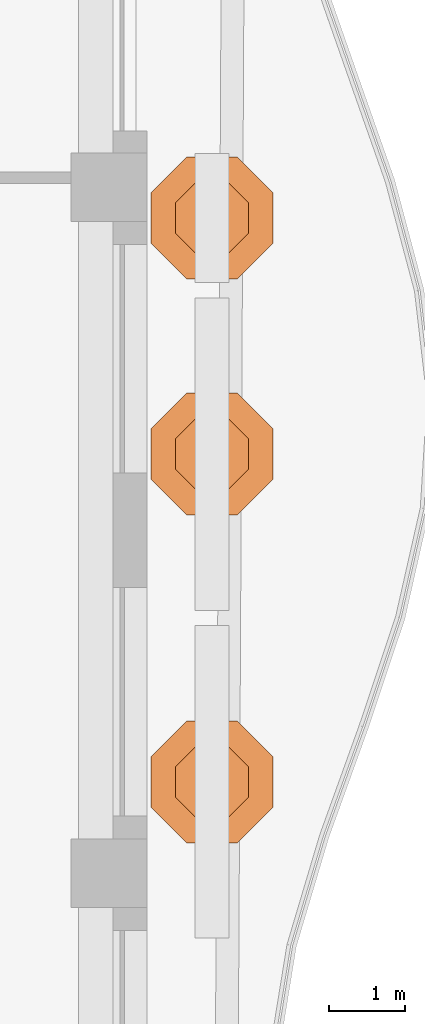
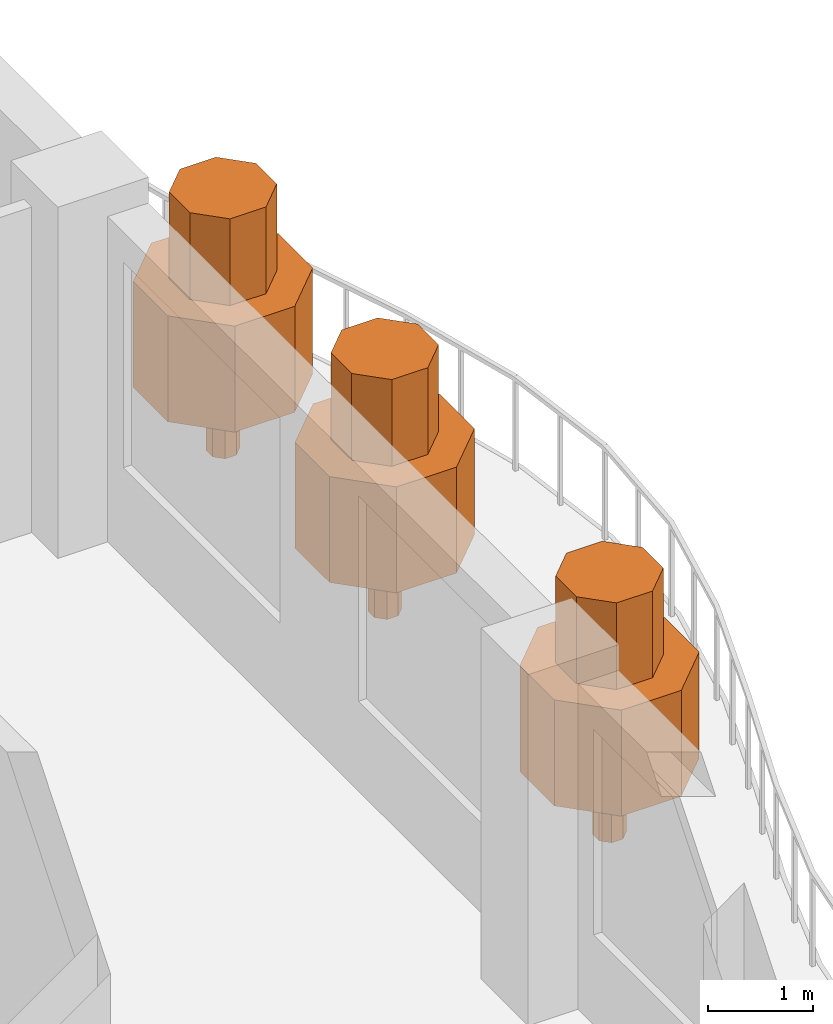
# One storey, part 14 of 14: 3 geographic elements.
"""IFC4 building model written with IfcOpenShell, lengths in metres."""

from ifc_helpers import new_model, si_unit, direction, frame, origin, place, context, subcontext, project, spatial, polyline, outline, extrude, material, type_object, element, save


model = new_model("IFC4")

# Units and contexts
model_context = context("Model", 3, precision=1e-05, world=origin(), true_north=direction((0.0, 1.0)))
body_context = subcontext(model_context, "Body", "Model", "MODEL_VIEW")
ifc_project = project(units=[si_unit("LENGTHUNIT", "METRE"), si_unit("AREAUNIT", "SQUARE_METRE"), si_unit("VOLUMEUNIT", "CUBIC_METRE"), si_unit("PLANEANGLEUNIT", "RADIAN"), si_unit("MASSUNIT", "GRAM", prefix="KILO")], contexts=[model_context])

# Site, building, storey
site_placement = place(None, origin())
site = spatial("IfcSite", under=ifc_project, at=site_placement, CompositionType="ELEMENT")
building_placement = place(site_placement, origin())
building = spatial("IfcBuilding", under=site, at=building_placement, Name="Cypress Arch Tower", CompositionType="ELEMENT")
storey_placement = place(building_placement, frame((0.0, 0.0, 304.89990234375)))
storey = spatial("IfcBuildingStorey", under=building, at=storey_placement, Name="L69", CompositionType="ELEMENT", Elevation=304.89990234375)

# Geographic elements
ifc_material = material(Name="Foliage and planting")
geographic_element_type = type_object("IfcGeographicElementType", Name="Balcony tree TR", PredefinedType="USERDEFINED", material=ifc_material)
for number, where, z_axis, x_axis, name in (
    (1, (25.60009765625, -3.300048828125, 0.60009765625), (0.0, 0.0, 1.0), (1.0, 0.0, 0.0), "Balcony tree L69-C17.1"),
    (2, (25.60009765625, 1.0, 0.60009765625), (0.0, 0.0, 1.0), (1.0, 0.0, 0.0), "Balcony tree L69-C17.2"),
    (3, (25.60009765625, 4.095703125, 0.60009765625), (0.0, 0.0, 1.0), (1.0, 0.0, 0.0), "Balcony tree L69-C17.3"),
):
    element("IfcGeographicElement", number, at=place(storey_placement, frame(where, z_axis=z_axis, x_axis=x_axis)), inside=storey, type_object=geographic_element_type, Name=name, ObjectType="TREE", PredefinedType="USERDEFINED", context=body_context, shape_type="SweptSolid", body=[
        extrude(outline(polyline([(0.14990234375, 0.06201171875), (0.06201171875, 0.14990234375), (-0.06201171875, 0.14990234375), (-0.14990234375, 0.06201171875), (-0.14990234375, -0.06201171875), (-0.06201171875, -0.14990234375), (0.06201171875, -0.14990234375), (0.14990234375, -0.06201171875), (0.14990234375, 0.06201171875)])), origin(), (0.0, 0.0, 1.0), 0.89990234375),
        extrude(outline(polyline([(0.800048828125, 0.331298828125), (0.331298828125, 0.800048828125), (-0.331298828125, 0.800048828125), (-0.800048828125, 0.331298828125), (-0.800048828125, -0.331298828125), (-0.331298828125, -0.800048828125), (0.331298828125, -0.800048828125), (0.800048828125, -0.331298828125), (0.800048828125, 0.331298828125)])), frame((0.0, 0.0, 0.800048828125)), (0.0, 0.0, 1.0), 1.237548828125),
        extrude(outline(polyline([(0.47998046875, 0.19873046875), (0.19873046875, 0.47998046875), (-0.19873046875, 0.47998046875), (-0.47998046875, 0.19873046875), (-0.47998046875, -0.19873046875), (-0.19873046875, -0.47998046875), (0.19873046875, -0.47998046875), (0.47998046875, -0.19873046875), (0.47998046875, 0.19873046875)])), frame((0.0, 0.0, 2.03759765625)), (0.0, 0.0, 1.0), 1.012451171875),
    ])

save(model, "model.ifc")
